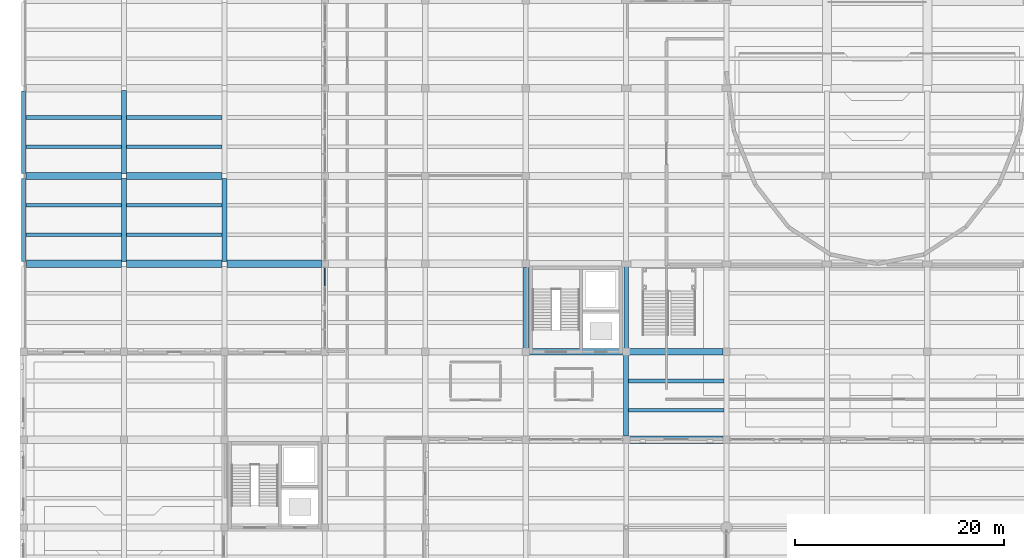
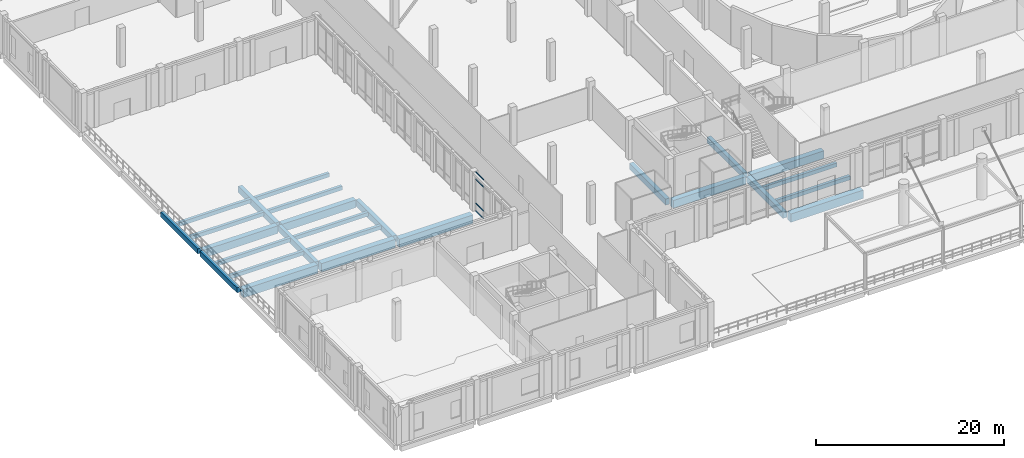
# One storey, part 17 of 71: 26 beams, 4 members, 1 element without a shape of its own.
"""IFC4 building model written with IfcOpenShell, lengths in metres."""

import ifcopenshell
import ifcopenshell.guid

model = None  # the IFC model being written
_history = None  # IfcOwnerHistory: only IFC2X3 demands one
_inside = {}  # id of a spatial element -> (the spatial element, [elements in it])
_under = {}  # id of a project, library or spatial element -> (it, [spatial elements below it])
_declared = {}  # id of a project -> (the project, [libraries it declares])
_typed = {}  # id of a type object -> (the type object, [elements of that type])
_made_of = {}  # id of a material, layer set ... -> (it, [elements and type objects made of it])


def new_model(schema):
    """Start an empty IFC model of exactly this schema.

    Asked for "IFC4X3", IfcOpenShell would pick the latest addendum, in which some entities
    have other attributes; the version numbers below select the first issue.
    IFC2X3 requires an IfcOwnerHistory on every rooted entity: one is made here for all.
    """
    global model, _history
    if schema == "IFC4X3":
        model = ifcopenshell.file(schema_version=(4, 3, 0, 0))
    else:
        model = ifcopenshell.file(schema=schema)
    _inside.clear()
    _under.clear()
    _declared.clear()
    _typed.clear()
    _made_of.clear()
    _history = None
    if model.schema == "IFC2X3":
        org = make("IfcOrganization", Name="unknown")
        user = make(
            "IfcPersonAndOrganization",
            ThePerson=make("IfcPerson", FamilyName="unknown"),
            TheOrganization=org,
        )
        app = make(
            "IfcApplication",
            ApplicationDeveloper=org,
            Version="unknown",
            ApplicationFullName="unknown",
            ApplicationIdentifier="unknown",
        )
        _history = make(
            "IfcOwnerHistory",
            OwningUser=user,
            OwningApplication=app,
            ChangeAction="ADDED",
            CreationDate=0,
        )
    return model


def make(cls, **values):
    """One entity of the class cls with the attributes given. An attribute that is None is left unset."""
    return model.create_entity(
        cls, **{name: value for name, value in values.items() if value is not None}
    )


def rooted(cls, **values):
    """An entity with a GlobalId (a new one), such as an element, a storey or a relation."""
    return make(cls, GlobalId=ifcopenshell.guid.new(), OwnerHistory=_history, **values)


def si_unit(unit_type, name, prefix=None):
    """IfcSIUnit, for example si_unit("LENGTHUNIT", "METRE", prefix="MILLI")."""
    return make("IfcSIUnit", UnitType=unit_type, Prefix=prefix, Name=name)


def assignment(units):
    """IfcUnitAssignment: the units of a project."""
    return None if units is None else make("IfcUnitAssignment", Units=units)


def point(xyz):
    """IfcCartesianPoint."""
    return None if xyz is None else make("IfcCartesianPoint", Coordinates=xyz)


def direction(xyz):
    """IfcDirection."""
    return None if xyz is None else make("IfcDirection", DirectionRatios=xyz)


def frame(location, z_axis=None, x_axis=None):
    """IfcAxis2Placement3D, a coordinate frame: its origin and axes. An axis left out is left unset."""
    return make(
        "IfcAxis2Placement3D",
        Location=point(location),
        Axis=direction(z_axis),
        RefDirection=direction(x_axis),
    )


def frame_2d(location, x_axis=None):
    """IfcAxis2Placement2D, a coordinate frame in the plane: its origin and x axis."""
    return make(
        "IfcAxis2Placement2D", Location=point(location), RefDirection=direction(x_axis)
    )


def origin():
    """The frame at (0, 0, 0) with its axes left unset."""
    return frame((0.0, 0.0, 0.0))


def origin_2d():
    """The frame at (0, 0) in the plane with its x axis left unset."""
    return frame_2d((0.0, 0.0))


def place(relative_to, where):
    """IfcLocalPlacement: puts the frame where relative to a parent placement (None: the world)."""
    return make(
        "IfcLocalPlacement", PlacementRelTo=relative_to, RelativePlacement=where
    )


def context(
    kind, dimensions, precision=None, world=None, true_north=None, identifier=None
):
    """IfcGeometricRepresentationContext, for example the 3D "Model" context."""
    return make(
        "IfcGeometricRepresentationContext",
        ContextIdentifier=identifier,
        ContextType=kind,
        CoordinateSpaceDimension=dimensions,
        Precision=precision,
        WorldCoordinateSystem=world,
        TrueNorth=true_north,
    )


def subcontext(parent, identifier, kind, view, scale=None):
    """IfcGeometricRepresentationSubContext, for example "Body" below "Model"."""
    return make(
        "IfcGeometricRepresentationSubContext",
        ContextIdentifier=identifier,
        ContextType=kind,
        ParentContext=parent,
        TargetScale=scale,
        TargetView=view,
    )


def project(units=None, contexts=None):
    """IfcProject with its units and contexts."""
    return rooted(
        "IfcProject",
        Name="project",
        RepresentationContexts=contexts,
        UnitsInContext=assignment(units),
    )


def spatial(cls, under=None, at=None, **own):
    """A site, building, storey or space (cls), placed at a placement, below another one or the project."""
    s = rooted(cls, ObjectPlacement=at, **own)
    if under is not None:
        _under.setdefault(under.id(), (under, []))[1].append(s)
    return s


def profile(cls, at=None, kind="AREA", **sizes):
    """A parametric profile (cls). Its sizes go by their IFC names, for example OverallWidth=200.0."""
    return make(cls, ProfileType=kind, Position=at, **sizes)


def rectangle(**sizes):
    """IfcRectangleProfileDef."""
    return profile("IfcRectangleProfileDef", **sizes)


def hollow_rectangle(**sizes):
    """IfcRectangleHollowProfileDef."""
    return profile("IfcRectangleHollowProfileDef", **sizes)


def extrude(swept, where, along, depth):
    """IfcExtrudedAreaSolid: the profile swept, set in the frame where, extruded along a direction by depth."""
    return make(
        "IfcExtrudedAreaSolid",
        SweptArea=swept,
        Position=where,
        ExtrudedDirection=direction(along),
        Depth=depth,
    )


def shape(context_of_items, identifier, shape_type, items):
    """IfcShapeRepresentation: the items that make up one representation, for example the "Body"."""
    return make(
        "IfcShapeRepresentation",
        ContextOfItems=context_of_items,
        RepresentationIdentifier=identifier,
        RepresentationType=shape_type,
        Items=items,
    )


def material(Name=None, Category=None):
    """IfcMaterial."""
    return make("IfcMaterial", Name=Name, Category=Category)


def layer(
    of_material, thickness, ventilated=None, Name=None, Category=None, Priority=None
):
    """IfcMaterialLayer: one layer of a wall or slab, of a material (None: an air gap)."""
    return make(
        "IfcMaterialLayer",
        Material=of_material,
        LayerThickness=thickness,
        IsVentilated=ventilated,
        Name=Name,
        Category=Category,
        Priority=Priority,
    )


def layer_set(layers, Name=None):
    """IfcMaterialLayerSet."""
    return make("IfcMaterialLayerSet", MaterialLayers=layers, LayerSetName=Name)


def material_profile(
    of_material, cross_section, Name=None, Category=None, Priority=None
):
    """IfcMaterialProfile: a cross section and its material."""
    return make(
        "IfcMaterialProfile",
        Name=Name,
        Material=of_material,
        Profile=cross_section,
        Priority=Priority,
        Category=Category,
    )


def profile_set(profiles, Name=None, composite=None):
    """IfcMaterialProfileSet."""
    return make(
        "IfcMaterialProfileSet",
        Name=Name,
        MaterialProfiles=profiles,
        CompositeProfile=composite,
    )


def made_of(thing, what):
    """Note that an element or type object is made of a material, layer set ...; save() writes the relation."""
    if what is not None:
        _made_of.setdefault(what.id(), (what, []))[1].append(thing)
    return thing


def type_object(cls, material=None, **own):
    """A type object (cls), such as IfcWallType, which elements share."""
    return made_of(rooted(cls, **own), material)


def element(
    cls,
    number,
    at=None,
    inside=None,
    cuts=None,
    type_object=None,
    material=None,
    context=None,
    identifier="Body",
    shape_type=None,
    held_by="IfcProductDefinitionShape",
    body=None,
    shapes=None,
    **own,
):
    """One element of the class cls, such as IfcWall. Its Tag is "e" and its number.

    at: its placement. inside: the storey or other place that contains it. cuts: it is an
    opening in that element (IfcRelVoidsElement). A single representation is given by context,
    identifier, shape_type and body (its items); several are given by shapes. held_by: the class
    of the entity that holds the representations. save() writes the other relations.
    """
    e = rooted(cls, Tag="e%d" % number, ObjectPlacement=at, **own)
    if body is not None:
        shapes = [shape(context, identifier, shape_type, body)]
    if shapes is not None:
        e.Representation = make(held_by, Representations=shapes)
    if inside is not None:
        _inside.setdefault(inside.id(), (inside, []))[1].append(e)
    if cuts is not None:
        rooted(
            "IfcRelVoidsElement", RelatingBuildingElement=cuts, RelatedOpeningElement=e
        )
    if type_object is not None:
        _typed.setdefault(type_object.id(), (type_object, []))[1].append(e)
    return made_of(e, material)


def aggregate(whole, parts):
    """IfcRelAggregates: a whole, such as a stair, and the parts it consists of."""
    return rooted("IfcRelAggregates", RelatingObject=whole, RelatedObjects=parts)


def save(model, path):
    """Write the relations noted so far, then the file.

    IfcRelAggregates (storeys below a building ...), IfcRelContainedInSpatialStructure (elements
    in a storey), IfcRelDefinesByType, IfcRelAssociatesMaterial and IfcRelDeclares: one each for
    every whole, place, type object, material and project.
    """
    for whole, parts in _under.values():
        aggregate(whole, parts)
    for where, things in _inside.values():
        rooted(
            "IfcRelContainedInSpatialStructure",
            RelatedElements=things,
            RelatingStructure=where,
        )
    for kind, things in _typed.values():
        rooted("IfcRelDefinesByType", RelatedObjects=things, RelatingType=kind)
    for what, things in _made_of.values():
        rooted("IfcRelAssociatesMaterial", RelatedObjects=things, RelatingMaterial=what)
    for by, libraries in _declared.values():
        rooted("IfcRelDeclares", RelatingContext=by, RelatedDefinitions=libraries)
    model.write(path)


model = new_model("IFC4")

# Units and contexts
model_context = context("Model", 3, precision=1e-05, world=origin(), true_north=direction((0.0, 1.0)))
body_context = subcontext(model_context, "Body", "Model", "MODEL_VIEW")
ifc_project = project(units=[si_unit("LENGTHUNIT", "METRE"), si_unit("AREAUNIT", "SQUARE_METRE"), si_unit("VOLUMEUNIT", "CUBIC_METRE"), si_unit("PLANEANGLEUNIT", "RADIAN"), si_unit("MASSUNIT", "GRAM", prefix="KILO")], contexts=[model_context])

# Site, building, storey
site_placement = place(None, origin())
site = spatial("IfcSite", under=ifc_project, at=site_placement, CompositionType="ELEMENT")
building_placement = place(site_placement, origin())
building = spatial("IfcBuilding", under=site, at=building_placement, Name="Lornevale Opera House", CompositionType="ELEMENT")
storey_placement = place(building_placement, origin())
storey = spatial("IfcBuildingStorey", under=building, at=storey_placement, Name="L01", CompositionType="ELEMENT", Elevation=0.0)

# Beams
ifc_material_1 = material(Name="Concrete 35 MPa (CSA A23.1 N)", Category="concrete")
ifc_material_profile_1 = material_profile(ifc_material_1, rectangle(XDim=0.449951171875, YDim=0.75, at=origin_2d()), Name="RC450x750")
ifc_profile_set_1 = profile_set([ifc_material_profile_1], Name="Concrete 35 MPa (CSA A23.1 N)")
beam_type_1 = type_object("IfcBeamType", Name="Concrete Floor Beam 450x750", PredefinedType="USERDEFINED", material=ifc_profile_set_1)
beam_1_placement = place(storey_placement, frame((9.60009765625, 33.824951171875, -0.625), z_axis=(0.0, 1.0, 0.0), x_axis=(-1.0, 0.0, 0.0)))
element("IfcBeam", 1, at=beam_1_placement, inside=storey, type_object=beam_type_1, Name="Concrete Floor Beam 450x750 1085", ObjectType="GIRDER", PredefinedType="USERDEFINED", context=body_context, shape_type="SweptSolid", body=[
    extrude(rectangle(XDim=0.449951171875, YDim=0.75, at=origin_2d()), origin(), (0.0, 0.0, 1.0), 7.925048828125),
])
beam_2_placement = place(storey_placement, frame((57.60009765625, 25.52490234375, -0.81494140625), z_axis=(0.0, 1.0, 0.0), x_axis=(-1.0, 0.0, 0.0)))
element("IfcBeam", 2, at=beam_2_placement, inside=storey, type_object=beam_type_1, Name="Concrete Floor Beam 450x750 1148", ObjectType="GIRDER", PredefinedType="USERDEFINED", context=body_context, shape_type="SweptSolid", body=[
    extrude(rectangle(XDim=0.449951171875, YDim=0.75, at=origin_2d()), origin(), (0.0, 0.0, 1.0), 7.8251953125),
])
ifc_material_profile_2 = material_profile(ifc_material_1, rectangle(XDim=0.5, YDim=0.800048828125, at=origin_2d()), Name="RC500x800")
ifc_profile_set_2 = profile_set([ifc_material_profile_2], Name="Concrete 35 MPa (CSA A23.1 N)")
beam_type_2 = type_object("IfcBeamType", Name="Concrete Floor Beam 500x800", PredefinedType="USERDEFINED", material=ifc_profile_set_2)
beam_3_placement = place(storey_placement, frame((9.60009765625, 42.25, -0.64990234375), z_axis=(0.0, 1.0, 0.0), x_axis=(-1.0, 0.0, 0.0)))
element("IfcBeam", 3, at=beam_3_placement, inside=storey, type_object=beam_type_2, Name="Concrete Floor Beam 500x800 1086", ObjectType="GIRDER", PredefinedType="USERDEFINED", context=body_context, shape_type="SweptSolid", body=[
    extrude(rectangle(XDim=0.5, YDim=0.800048828125, at=origin_2d()), origin(), (0.0, 0.0, 1.0), 7.925048828125),
])
beam_4_placement = place(storey_placement, frame((19.199951171875, 33.85009765625, -0.64990234375), z_axis=(0.0, 1.0, 0.0), x_axis=(-1.0, 0.0, 0.0)))
element("IfcBeam", 4, at=beam_4_placement, inside=storey, type_object=beam_type_2, Name="Concrete Floor Beam 500x800 1097", ObjectType="GIRDER", PredefinedType="USERDEFINED", context=body_context, shape_type="SweptSolid", body=[
    extrude(rectangle(XDim=0.5, YDim=0.800048828125, at=origin_2d()), origin(), (0.0, 0.0, 1.0), 7.9248046875),
])
for number, where, z_axis, x_axis, name in (
    (5, (48.0, 25.52490234375, -0.840087890625), (0.0, 1.0, 0.0), (-1.0, 0.0, 0.0), "Concrete Floor Beam 500x800 1134"),
    (6, (57.60009765625, 17.125, -0.840087890625), (0.0, 1.0, 0.0), (-1.0, 0.0, 0.0), "Concrete Floor Beam 500x800 1147"),
):
    element("IfcBeam", number, at=place(storey_placement, frame(where, z_axis=z_axis, x_axis=x_axis)), inside=storey, type_object=beam_type_2, Name=name, ObjectType="GIRDER", PredefinedType="USERDEFINED", context=body_context, shape_type="SweptSolid", body=[
        extrude(rectangle(XDim=0.5, YDim=0.800048828125, at=origin_2d()), origin(), (0.0, 0.0, 1.0), 7.75),
    ])
ifc_material_2 = material(Name="Concrete 40 MPa (CSA A23.1 C-1)", Category="concrete")
ifc_material_profile_3 = material_profile(ifc_material_2, rectangle(XDim=0.64990234375, YDim=1.0, at=origin_2d()), Name="RC650x1000")
ifc_profile_set_3 = profile_set([ifc_material_profile_3], Name="Concrete 40 MPa (CSA A23.1 C-1)")
beam_type_3 = type_object("IfcBeamType", Name="Concrete Primary Girder 650x1000", PredefinedType="USERDEFINED", material=ifc_profile_set_3)
for number, where, z_axis, x_axis, name in (
    (7, (48.324951171875, 25.199951171875, -0.93994140625), (1.0, 0.0, 0.0), (0.0, 1.0, 0.0), "Concrete Primary Girder 650x1000 0894"),
    (8, (57.925048828125, 25.199951171875, -0.93994140625), (1.0, 0.0, 0.0), (0.0, 1.0, 0.0), "Concrete Primary Girder 650x1000 0895"),
):
    element("IfcBeam", number, at=place(storey_placement, frame(where, z_axis=z_axis, x_axis=x_axis)), inside=storey, type_object=beam_type_3, Name=name, ObjectType="GIRDER", PredefinedType="USERDEFINED", context=body_context, shape_type="SweptSolid", body=[
        extrude(rectangle(XDim=0.64990234375, YDim=1.0, at=origin_2d()), origin(), (0.0, 0.0, 1.0), 8.949951171875),
    ])
for number, where, z_axis, x_axis, name in (
    (9, (0.22509765625, 42.0, -0.75), (1.0, 0.0, 0.0), (0.0, 1.0, 0.0), "Concrete Primary Girder 650x1000 0925"),
    (10, (9.85009765625, 42.0, -0.75), (1.0, 0.0, 0.0), (0.0, 1.0, 0.0), "Concrete Primary Girder 650x1000 0926"),
):
    element("IfcBeam", number, at=place(storey_placement, frame(where, z_axis=z_axis, x_axis=x_axis)), inside=storey, type_object=beam_type_3, Name=name, ObjectType="GIRDER", PredefinedType="USERDEFINED", context=body_context, shape_type="SweptSolid", body=[
        extrude(rectangle(XDim=0.64990234375, YDim=1.0, at=origin_2d()), origin(), (0.0, 0.0, 1.0), 9.125),
    ])
ifc_material_profile_4 = material_profile(ifc_material_2, rectangle(XDim=0.699951171875, YDim=1.10009765625, at=origin_2d()), Name="RC700x1100")
ifc_profile_set_4 = profile_set([ifc_material_profile_4], Name="Concrete 40 MPa (CSA A23.1 C-1)")
beam_type_4 = type_object("IfcBeamType", Name="Concrete Primary Girder 700x1100", PredefinedType="USERDEFINED", material=ifc_profile_set_4)
beam_5_placement = place(storey_placement, frame((57.925048828125, 16.800048828125, -0.989990234375), z_axis=(1.0, 0.0, 0.0), x_axis=(0.0, 1.0, 0.0)))
element("IfcBeam", 11, at=beam_5_placement, inside=storey, type_object=beam_type_4, Name="Concrete Primary Girder 700x1100 0878", ObjectType="GIRDER", PredefinedType="USERDEFINED", context=body_context, shape_type="SweptSolid", body=[
    extrude(rectangle(XDim=0.699951171875, YDim=1.10009765625, at=origin_2d()), origin(), (0.0, 0.0, 1.0), 8.949951171875),
])
for number, where, z_axis, x_axis, name in (
    (12, (0.25, 33.60009765625, -0.800048828125), (1.0, 0.0, 0.0), (0.0, 1.0, 0.0), "Concrete Primary Girder 700x1100 0907"),
    (13, (9.824951171875, 33.60009765625, -0.800048828125), (1.0, 0.0, 0.0), (0.0, 1.0, 0.0), "Concrete Primary Girder 700x1100 0908"),
):
    element("IfcBeam", number, at=place(storey_placement, frame(where, z_axis=z_axis, x_axis=x_axis)), inside=storey, type_object=beam_type_4, Name=name, ObjectType="GIRDER", PredefinedType="USERDEFINED", context=body_context, shape_type="SweptSolid", body=[
        extrude(rectangle(XDim=0.699951171875, YDim=1.10009765625, at=origin_2d()), origin(), (0.0, 0.0, 1.0), 9.125),
    ])
beam_6_placement = place(storey_placement, frame((19.449951171875, 33.60009765625, -0.989990234375), z_axis=(1.0, 0.0, 0.0), x_axis=(0.0, 1.0, 0.0)))
element("IfcBeam", 14, at=beam_6_placement, inside=storey, type_object=beam_type_4, Name="Concrete Primary Girder 700x1100 0909", ObjectType="GIRDER", PredefinedType="USERDEFINED", context=body_context, shape_type="SweptSolid", body=[
    extrude(rectangle(XDim=0.699951171875, YDim=1.10009765625, at=origin_2d()), origin(), (0.0, 0.0, 1.0), 9.050048828125),
])
ifc_material_profile_5 = material_profile(ifc_material_1, rectangle(XDim=0.35009765625, YDim=0.5, at=origin_2d()), Name="RC350x500")
ifc_profile_set_5 = profile_set([ifc_material_profile_5], Name="Concrete 35 MPa (CSA A23.1 N)")
beam_type_5 = type_object("IfcBeamType", Name="Concrete Secondary Rib 350x500", PredefinedType="JOIST", material=ifc_profile_set_5)
for number, where, z_axis, x_axis, name in (
    (15, (0.22509765625, 36.39990234375, -0.5), (1.0, 0.0, 0.0), (0.0, 1.0, 0.0), "Concrete Secondary Rib 350x500 1299"),
    (16, (0.22509765625, 39.199951171875, -0.5), (1.0, 0.0, 0.0), (0.0, 1.0, 0.0), "Concrete Secondary Rib 350x500 1300"),
):
    element("IfcBeam", number, at=place(storey_placement, frame(where, z_axis=z_axis, x_axis=x_axis)), inside=storey, type_object=beam_type_5, Name=name, PredefinedType="JOIST", context=body_context, shape_type="SweptSolid", body=[
        extrude(rectangle(XDim=0.35009765625, YDim=0.5, at=origin_2d()), origin(), (0.0, 0.0, 1.0), 9.14990234375),
    ])
for number, where, z_axis, x_axis, name in (
    (17, (0.22509765625, 44.800048828125, -0.5), (1.0, 0.0, 0.0), (0.0, 1.0, 0.0), "Concrete Secondary Rib 350x500 1301"),
    (18, (0.22509765625, 47.60009765625, -0.5), (1.0, 0.0, 0.0), (0.0, 1.0, 0.0), "Concrete Secondary Rib 350x500 1302"),
    (19, (9.824951171875, 36.39990234375, -0.5), (1.0, 0.0, 0.0), (0.0, 1.0, 0.0), "Concrete Secondary Rib 350x500 1323"),
    (20, (9.824951171875, 39.199951171875, -0.5), (1.0, 0.0, 0.0), (0.0, 1.0, 0.0), "Concrete Secondary Rib 350x500 1324"),
    (21, (9.85009765625, 44.800048828125, -0.5), (1.0, 0.0, 0.0), (0.0, 1.0, 0.0), "Concrete Secondary Rib 350x500 1325"),
    (22, (9.85009765625, 47.60009765625, -0.5), (1.0, 0.0, 0.0), (0.0, 1.0, 0.0), "Concrete Secondary Rib 350x500 1326"),
    (23, (57.85009765625, 19.60009765625, -0.68994140625), (1.0, 0.0, 0.0), (0.0, 1.0, 0.0), "Concrete Secondary Rib 350x500 1441"),
    (24, (57.85009765625, 22.39990234375, -0.68994140625), (1.0, 0.0, 0.0), (0.0, 1.0, 0.0), "Concrete Secondary Rib 350x500 1442"),
):
    element("IfcBeam", number, at=place(storey_placement, frame(where, z_axis=z_axis, x_axis=x_axis)), inside=storey, type_object=beam_type_5, Name=name, PredefinedType="JOIST", context=body_context, shape_type="SweptSolid", body=[
        extrude(rectangle(XDim=0.35009765625, YDim=0.5, at=origin_2d()), origin(), (0.0, 0.0, 1.0), 9.125),
    ])
ifc_material_profile_6 = material_profile(ifc_material_1, rectangle(XDim=0.449951171875, YDim=0.64990234375, at=origin_2d()), Name="RC450x650")
ifc_profile_set_6 = profile_set([ifc_material_profile_6], Name="Concrete 35 MPa (CSA A23.1 N)")
beam_type_6 = type_object("IfcBeamType", Name="Concrete Spandrel Beam 450x650", PredefinedType="SPANDREL", material=ifc_profile_set_6)
for number, where, z_axis, x_axis, name in (
    (25, (0.0, 33.85009765625, -0.574951171875), (0.0, 1.0, 0.0), (-1.0, 0.0, 0.0), "Concrete Spandrel Beam 450x650 1073"),
    (26, (0.0, 42.22509765625, -0.574951171875), (0.0, 1.0, 0.0), (-1.0, 0.0, 0.0), "Concrete Spandrel Beam 450x650 1074"),
):
    element("IfcBeam", number, at=place(storey_placement, frame(where, z_axis=z_axis, x_axis=x_axis)), inside=storey, type_object=beam_type_6, Name=name, PredefinedType="SPANDREL", context=body_context, shape_type="SweptSolid", body=[
        extrude(rectangle(XDim=0.449951171875, YDim=0.64990234375, at=origin_2d()), origin(), (0.0, 0.0, 1.0), 7.9248046875),
    ])

# Curtain wall, members
ifc_material_3 = material(Name="Anodized Oxide-Green Aluminium Framing", Category="aluminium")
ifc_layer = layer(ifc_material_3, 0.215087890625)
ifc_layer_set = layer_set([ifc_layer], Name="Anodized Oxide-Green Aluminium Framing")
curtain_wall_type = type_object("IfcCurtainWallType", Name="Grand Foyer Curtain Wall M2000", PredefinedType="NOTDEFINED", material=ifc_layer_set)
curtain_wall_placement = place(storey_placement, origin())
curtain_wall = element("IfcCurtainWall", 27, at=curtain_wall_placement, inside=storey, type_object=curtain_wall_type, Name="Grand Foyer Curtain Wall M2000 CW-002", PredefinedType="NOTDEFINED")
ifc_material_profile_7 = material_profile(ifc_material_3, hollow_rectangle(XDim=0.074951171875, YDim=0.159912109375, WallThickness=0.0048828125, at=origin_2d()), Name="ALU75x160x5")
ifc_profile_set_7 = profile_set([ifc_material_profile_7], Name="Anodized Oxide-Green Aluminium Framing")
member_type = type_object("IfcMemberType", Name="Curtain Wall Transom 75x160", PredefinedType="USERDEFINED", material=ifc_profile_set_7)
member_1_placement = place(storey_placement, frame((28.800048828125, 31.51708984375, 0.03759765625), z_axis=(0.0, 1.0, 0.0), x_axis=(-1.0, 0.0, 0.0)))
member_1 = element("IfcMember", 28, at=member_1_placement, type_object=member_type, Name="Curtain Wall Transom 75x160 CW0028", ObjectType="TRANSOM", PredefinedType="USERDEFINED", context=body_context, shape_type="SweptSolid", body=[
    extrude(hollow_rectangle(XDim=0.074951171875, YDim=0.159912109375, WallThickness=0.0048828125, at=origin_2d()), origin(), (0.0, 0.0, 1.0), 1.68701171875),
])
member_2_placement = place(storey_placement, frame((28.800048828125, 31.51708984375, 1.050048828125), z_axis=(0.0, 1.0, 0.0), x_axis=(-1.0, 0.0, 0.0)))
member_2 = element("IfcMember", 29, at=member_2_placement, type_object=member_type, Name="Curtain Wall Transom 75x160 CW0029", ObjectType="TRANSOM", PredefinedType="USERDEFINED", context=body_context, shape_type="SweptSolid", body=[
    extrude(hollow_rectangle(XDim=0.074951171875, YDim=0.159912109375, WallThickness=0.0048828125, at=origin_2d()), origin(), (0.0, 0.0, 1.0), 1.68701171875),
])
member_3_placement = place(storey_placement, frame((28.800048828125, 31.51708984375, 4.14990234375), z_axis=(0.0, 1.0, 0.0), x_axis=(-1.0, 0.0, 0.0)))
member_3 = element("IfcMember", 30, at=member_3_placement, type_object=member_type, Name="Curtain Wall Transom 75x160 CW0030", ObjectType="TRANSOM", PredefinedType="USERDEFINED", context=body_context, shape_type="SweptSolid", body=[
    extrude(hollow_rectangle(XDim=0.074951171875, YDim=0.159912109375, WallThickness=0.0048828125, at=origin_2d()), origin(), (0.0, 0.0, 1.0), 1.68701171875),
])
member_4_placement = place(storey_placement, frame((28.800048828125, 31.51708984375, 5.0625), z_axis=(0.0, 1.0, 0.0), x_axis=(-1.0, 0.0, 0.0)))
member_4 = element("IfcMember", 31, at=member_4_placement, type_object=member_type, Name="Curtain Wall Transom 75x160 CW0031", ObjectType="TRANSOM", PredefinedType="USERDEFINED", context=body_context, shape_type="SweptSolid", body=[
    extrude(hollow_rectangle(XDim=0.074951171875, YDim=0.159912109375, WallThickness=0.0048828125, at=origin_2d()), origin(), (0.0, 0.0, 1.0), 1.68701171875),
])
aggregate(curtain_wall, [member_1, member_2, member_3, member_4])

save(model, "model.ifc")
